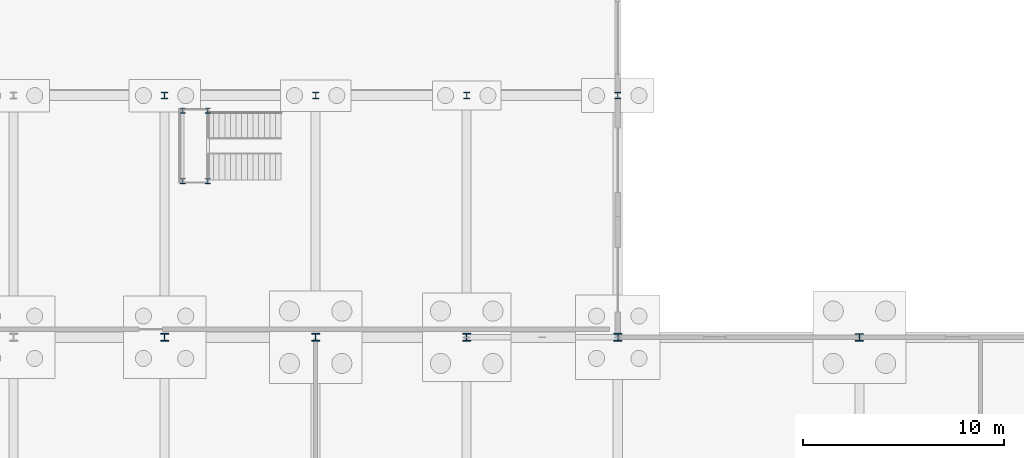
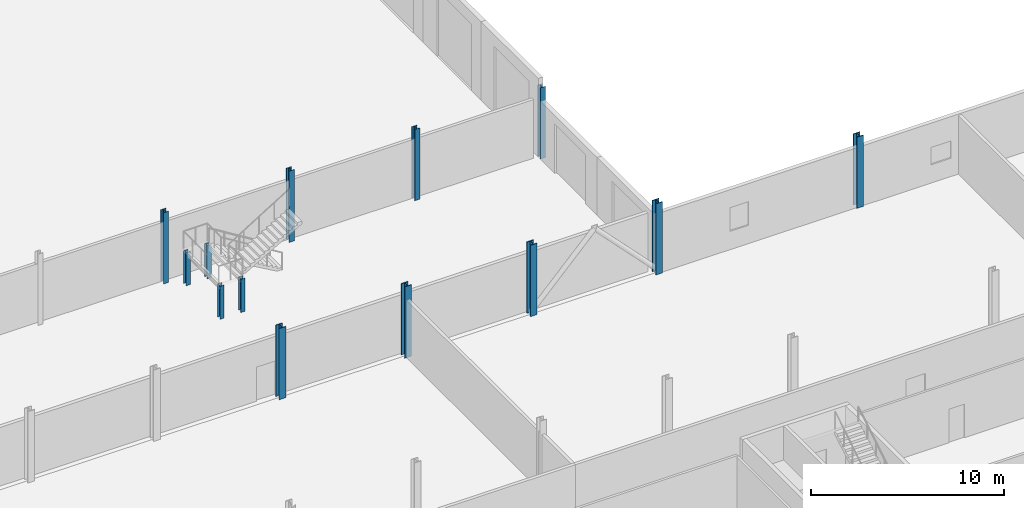
# One storey, part 24 of 136: 13 columns.
"""IFC4 building model written with IfcOpenShell, lengths in metres."""

from ifc_helpers import new_model, si_unit, direction, frame, origin, origin_2d, place, context, subcontext, project, spatial, i_section, extrude, material, material_profile, profile_set, type_object, element, save


model = new_model("IFC4")

# Units and contexts
model_context = context("Model", 3, precision=1e-05, world=origin(), true_north=direction((0.0, 1.0)))
body_context = subcontext(model_context, "Body", "Model", "MODEL_VIEW")
ifc_project = project(units=[si_unit("LENGTHUNIT", "METRE"), si_unit("AREAUNIT", "SQUARE_METRE"), si_unit("VOLUMEUNIT", "CUBIC_METRE"), si_unit("PLANEANGLEUNIT", "RADIAN"), si_unit("MASSUNIT", "GRAM", prefix="KILO")], contexts=[model_context])

# Site, building, storey
site_placement = place(None, origin())
site = spatial("IfcSite", under=ifc_project, at=site_placement, CompositionType="ELEMENT")
building_placement = place(site_placement, origin())
building = spatial("IfcBuilding", under=site, at=building_placement, Name="Solvenia Promenade Tram Depot", CompositionType="ELEMENT")
storey_placement = place(building_placement, origin())
storey = spatial("IfcBuildingStorey", under=building, at=storey_placement, Name="L00", CompositionType="ELEMENT", Elevation=0.0)

# Columns
ifc_material = material(Name="Structural steel ASTM A992 Gr. 50", Category="steel")
ifc_material_profile_1 = material_profile(ifc_material, i_section(OverallWidth=0.256103515625, OverallDepth=0.260009765625, WebThickness=0.0107421875, FlangeThickness=0.017333984375, FilletRadius=0.012939453125, at=origin_2d()), Name="W250x89", Category="steel")
ifc_profile_set_1 = profile_set([ifc_material_profile_1], Name="Structural steel ASTM A992 Gr. 50")
column_type_1 = type_object("IfcColumnType", Name="Col-W250x89", PredefinedType="COLUMN", material=ifc_profile_set_1)
for number, where, z_axis, x_axis, name in (
    (1, (128.39990234375, 73.75, 0.0), (0.0, 0.0, 1.0), (1.0, 0.0, 0.0), "Gallery Stair Landing Post 2-1"),
    (2, (129.64990234375, 73.75, 0.0), (0.0, 0.0, 1.0), (1.0, 0.0, 0.0), "Gallery Stair Inner Post 2-1"),
    (3, (128.39990234375, 77.25, 0.0), (0.0, 0.0, 1.0), (1.0, 0.0, 0.0), "Gallery Stair Landing Post 2-2"),
    (4, (129.64990234375, 77.25, 0.0), (0.0, 0.0, 1.0), (1.0, 0.0, 0.0), "Gallery Stair Inner Post 2-2"),
):
    element("IfcColumn", number, at=place(storey_placement, frame(where, z_axis=z_axis, x_axis=x_axis)), inside=storey, type_object=column_type_1, Name=name, PredefinedType="COLUMN", context=body_context, shape_type="SweptSolid", body=[
        extrude(i_section(OverallWidth=0.256103515625, OverallDepth=0.260009765625, WebThickness=0.0107421875, FlangeThickness=0.017333984375, FilletRadius=0.012939453125, at=origin_2d()), origin(), (0.0, 0.0, 1.0), 2.0849609375),
    ])
ifc_material_profile_2 = material_profile(ifc_material, i_section(OverallWidth=0.306884765625, OverallDepth=0.31396484375, WebThickness=0.011962890625, FlangeThickness=0.018798828125, FilletRadius=0.014892578125, at=origin_2d()), Name="W310x117", Category="steel")
ifc_profile_set_2 = profile_set([ifc_material_profile_2], Name="Structural steel ASTM A992 Gr. 50")
column_type_2 = type_object("IfcColumnType", Name="Col-W310x117", PredefinedType="COLUMN", material=ifc_profile_set_2)
for number, where, z_axis, x_axis, name in (
    (5, (127.5, 78.0, 0.0), (0.0, 0.0, 1.0), (1.0, 0.0, 0.0), "Steel Column COL-L00-259"),
    (6, (135.0, 78.0, 0.0), (0.0, 0.0, 1.0), (1.0, 0.0, 0.0), "Steel Column COL-L00-279"),
    (7, (142.5, 78.0, 0.0), (0.0, 0.0, 1.0), (1.0, 0.0, 0.0), "Steel Column COL-L00-300"),
    (8, (150.0, 78.0, 0.0), (0.0, 0.0, 1.0), (1.0, 0.0, 0.0), "Steel Column COL-L00-321"),
):
    element("IfcColumn", number, at=place(storey_placement, frame(where, z_axis=z_axis, x_axis=x_axis)), inside=storey, type_object=column_type_2, Name=name, PredefinedType="COLUMN", context=body_context, shape_type="SweptSolid", body=[
        extrude(i_section(OverallWidth=0.306884765625, OverallDepth=0.31396484375, WebThickness=0.011962890625, FlangeThickness=0.018798828125, FilletRadius=0.014892578125, at=origin_2d()), origin(), (0.0, 0.0, 1.0), 4.5),
    ])
ifc_material_profile_3 = material_profile(ifc_material, i_section(OverallWidth=0.39404296875, OverallDepth=0.375, WebThickness=0.0205078125, FlangeThickness=0.033203125, FilletRadius=0.01806640625, at=origin_2d()), Name="W360x216", Category="steel")
ifc_profile_set_3 = profile_set([ifc_material_profile_3], Name="Structural steel ASTM A992 Gr. 50")
column_type_3 = type_object("IfcColumnType", Name="Col-W360x216", PredefinedType="COLUMN", material=ifc_profile_set_3)
column_placement = place(storey_placement, frame((162.0, 66.0, 0.0), z_axis=(0.0, 0.0, 1.0), x_axis=(1.0, 0.0, 0.0)))
element("IfcColumn", 9, at=column_placement, inside=storey, type_object=column_type_3, Name="Steel Column COL-L00-338", PredefinedType="COLUMN", context=body_context, shape_type="SweptSolid", body=[
    extrude(i_section(OverallWidth=0.39404296875, OverallDepth=0.375, WebThickness=0.0205078125, FlangeThickness=0.033203125, FilletRadius=0.01806640625, at=origin_2d()), origin(), (0.0, 0.0, 1.0), 4.5),
])
ifc_material_profile_4 = material_profile(ifc_material, i_section(OverallWidth=0.39794921875, OverallDepth=0.386962890625, WebThickness=0.0244140625, FlangeThickness=0.03955078125, FilletRadius=0.01806640625, at=origin_2d()), Name="W360x262", Category="steel")
ifc_profile_set_4 = profile_set([ifc_material_profile_4], Name="Structural steel ASTM A992 Gr. 50")
column_type_4 = type_object("IfcColumnType", Name="Col-W360x262", PredefinedType="COLUMN", material=ifc_profile_set_4)
for number, where, z_axis, x_axis, name in (
    (10, (127.5, 66.0, 0.0), (0.0, 0.0, 1.0), (1.0, 0.0, 0.0), "Steel Column COL-L00-255"),
    (11, (135.0, 66.0, 0.0), (0.0, 0.0, 1.0), (1.0, 0.0, 0.0), "Steel Column COL-L00-275"),
    (12, (142.5, 66.0, 0.0), (0.0, 0.0, 1.0), (1.0, 0.0, 0.0), "Steel Column COL-L00-296"),
    (13, (150.0, 66.0, 0.0), (0.0, 0.0, 1.0), (1.0, 0.0, 0.0), "Steel Column COL-L00-317"),
):
    element("IfcColumn", number, at=place(storey_placement, frame(where, z_axis=z_axis, x_axis=x_axis)), inside=storey, type_object=column_type_4, Name=name, PredefinedType="COLUMN", context=body_context, shape_type="SweptSolid", body=[
        extrude(i_section(OverallWidth=0.39794921875, OverallDepth=0.386962890625, WebThickness=0.0244140625, FlangeThickness=0.03955078125, FilletRadius=0.01806640625, at=origin_2d()), origin(), (0.0, 0.0, 1.0), 4.5),
    ])

save(model, "model.ifc")
